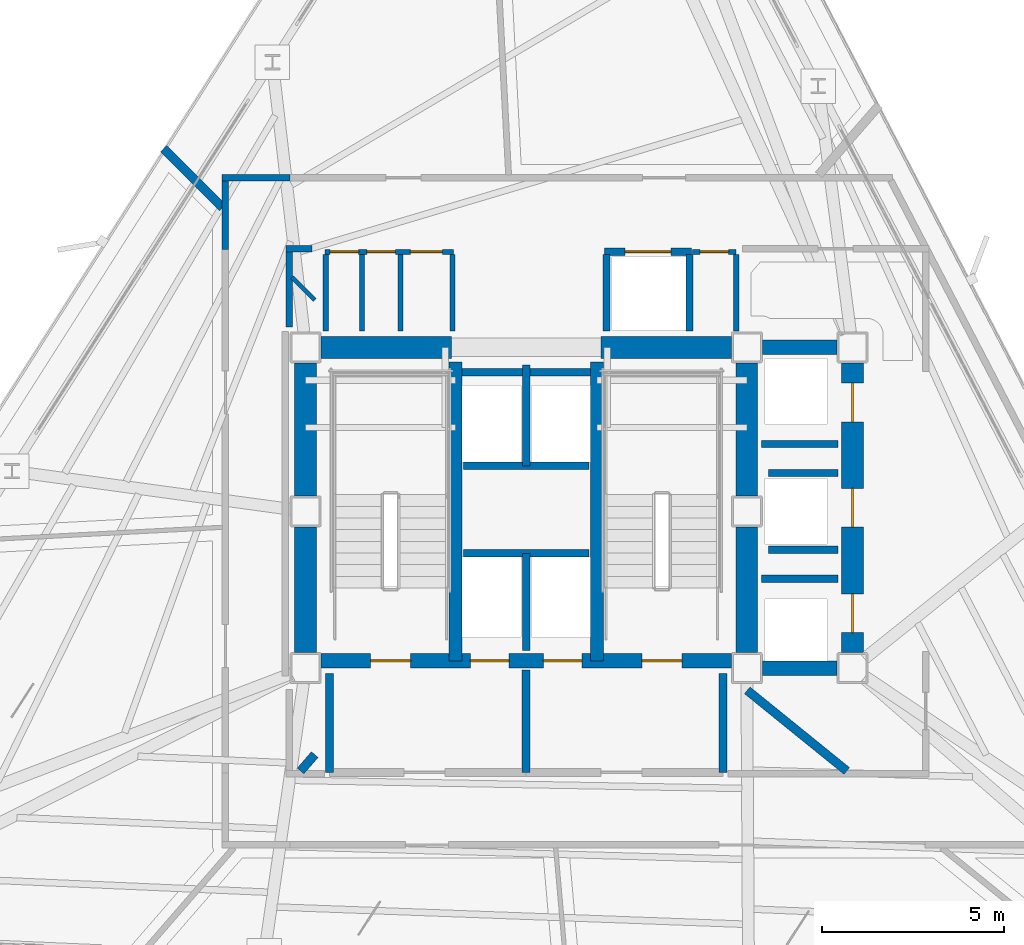
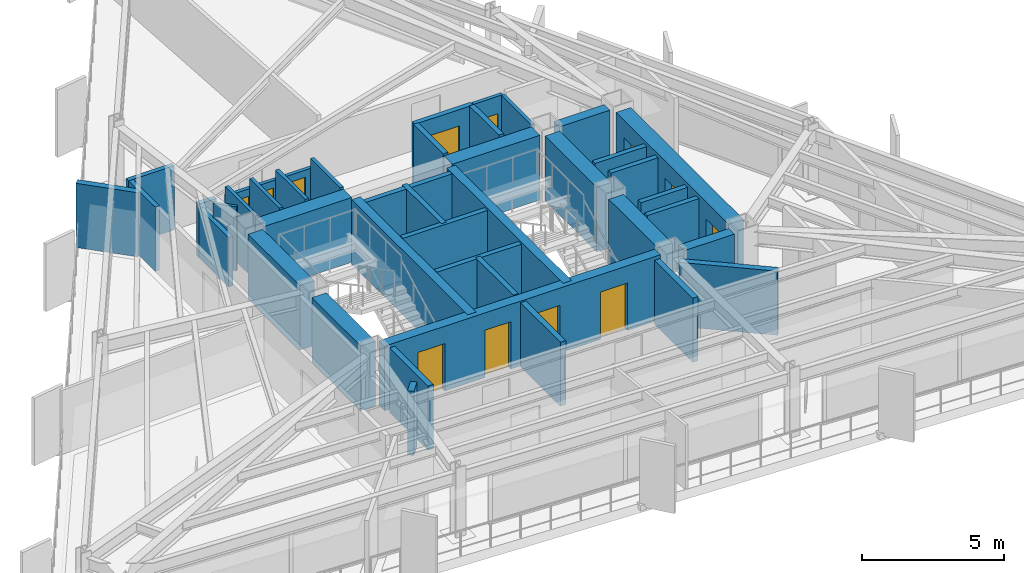
# One storey, part 8 of 12: 42 walls, 12 doors, 12 openings.
"""IFC4 building model written with IfcOpenShell, lengths in metres."""

from ifc_helpers import new_model, si_unit, direction, frame, frame_2d, origin, place, context, subcontext, project, spatial, rectangle, extrude, material, layer, layer_set, type_object, element, fill, save


model = new_model("IFC4")

# Units and contexts
model_context = context("Model", 3, precision=1e-05, world=origin(), true_north=direction((0.0, 1.0)))
body_context = subcontext(model_context, "Body", "Model", "MODEL_VIEW")
ifc_project = project(units=[si_unit("LENGTHUNIT", "METRE"), si_unit("AREAUNIT", "SQUARE_METRE"), si_unit("VOLUMEUNIT", "CUBIC_METRE"), si_unit("PLANEANGLEUNIT", "RADIAN"), si_unit("MASSUNIT", "GRAM", prefix="KILO")], contexts=[model_context])

# Site, building, storey
site_placement = place(None, origin())
site = spatial("IfcSite", under=ifc_project, at=site_placement, CompositionType="ELEMENT")
building_placement = place(site_placement, origin())
building = spatial("IfcBuilding", under=site, at=building_placement, Name="Rocaltana Carrier Exchange", CompositionType="ELEMENT")
storey_placement = place(building_placement, frame((0.0, 0.0, 125.919921875)))
storey = spatial("IfcBuildingStorey", under=building, at=storey_placement, Name="L39", CompositionType="ELEMENT", Elevation=125.919921875)

# Walls
ifc_material_1 = material(Name="Concrete C50/60", Category="concrete")
ifc_layer_1 = layer(ifc_material_1, 0.35009765625)
ifc_layer_set_1 = layer_set([ifc_layer_1], Name="Concrete C50/60")
wall_type_1 = type_object("IfcWallType", Name="Core Internal Shear Wall 350", PredefinedType="SHEAR", material=ifc_layer_set_1)
for number, where, z_axis, x_axis, name in (
    (1, (-1.93994140625, -4.10009765625, 0.0), (0.0, 0.0, 1.0), (0.0, 1.0, 0.0), "L39 Core Shear Wall CW-STW"),
    (2, (1.93994140625, -4.10009765625, 0.0), (0.0, 0.0, 1.0), (0.0, 1.0, 0.0), "L39 Core Shear Wall CW-STE"),
):
    element("IfcWall", number, at=place(storey_placement, frame(where, z_axis=z_axis, x_axis=x_axis)), inside=storey, type_object=wall_type_1, Name=name, PredefinedType="SHEAR", context=body_context, shape_type="SweptSolid", body=[
        extrude(rectangle(XDim=8.2001953125, YDim=0.35009765625, at=frame_2d((4.10009765625, 0.0))), origin(), (0.0, 0.0, 1.0), 2.7880859375),
    ])

# Wall, openings, doors
ifc_material_2 = material(Name="Concrete C50/60", Category="concrete")
ifc_layer_2 = layer(ifc_material_2, 0.39990234375)
ifc_layer_set_2 = layer_set([ifc_layer_2], Name="Concrete C50/60")
wall_type_2 = type_object("IfcWallType", Name="Core Internal Shear Wall 400", PredefinedType="SHEAR", material=ifc_layer_set_2)
wall_1_placement = place(storey_placement, frame((-5.625, -4.10009765625, 0.0), z_axis=(0.0, 0.0, 1.0), x_axis=(1.0, 0.0, 0.0)))
wall_1 = element("IfcWall", 3, at=wall_1_placement, inside=storey, type_object=wall_type_2, Name="L39 Core Shear Wall CW-S", PredefinedType="SHEAR", context=body_context, shape_type="SweptSolid", body=[
    extrude(rectangle(XDim=11.25, YDim=0.39990234375, at=frame_2d((5.625, 0.0))), origin(), (0.0, 0.0, 1.0), 2.7880859375),
])
opening_1_placement = place(wall_1_placement, frame((1.35498046875, 0.0, 0.0)))
opening_1 = element("IfcOpeningElement", 4, at=opening_1_placement, cuts=wall_1, Name="Opening D-ST110", PredefinedType="OPENING", context=body_context, shape_type="SweptSolid", body=[
    extrude(rectangle(XDim=1.10009765625, YDim=2.0400390625, at=frame_2d((0.550048828125, 1.02001953125))), frame((0.0, 0.2099609375, 0.0), z_axis=(0.0, -1.0, 0.0), x_axis=(1.0, 0.0, 0.0)), (0.0, 0.0, 1.0), 0.419921875),
])
opening_2_placement = place(wall_1_placement, frame((8.794921875, 0.0, 0.0)))
opening_2 = element("IfcOpeningElement", 5, at=opening_2_placement, cuts=wall_1, Name="Opening D-ST110", PredefinedType="OPENING", context=body_context, shape_type="SweptSolid", body=[
    extrude(rectangle(XDim=1.10009765625, YDim=2.0400390625, at=frame_2d((0.550048828125, 1.02001953125))), frame((0.0, 0.2099609375, 0.0), z_axis=(0.0, -1.0, 0.0), x_axis=(1.0, 0.0, 0.0)), (0.0, 0.0, 1.0), 0.419921875),
])
opening_3_placement = place(wall_1_placement, frame((4.094970703125, 0.0, 0.0)))
opening_3 = element("IfcOpeningElement", 6, at=opening_3_placement, cuts=wall_1, Name="Opening LD-110", PredefinedType="OPENING", context=body_context, shape_type="SweptSolid", body=[
    extrude(rectangle(XDim=1.06005859375, YDim=2.0400390625, at=frame_2d((0.530029296875, 1.02001953125))), frame((0.0, 0.2099609375, 0.0), z_axis=(0.0, -1.0, 0.0), x_axis=(1.0, 0.0, 0.0)), (0.0, 0.0, 1.0), 0.419921875),
])
opening_4_placement = place(wall_1_placement, frame((6.094970703125, 0.0, 0.0)))
opening_4 = element("IfcOpeningElement", 7, at=opening_4_placement, cuts=wall_1, Name="Opening LD-110", PredefinedType="OPENING", context=body_context, shape_type="SweptSolid", body=[
    extrude(rectangle(XDim=1.06005859375, YDim=2.0400390625, at=frame_2d((0.530029296875, 1.02001953125))), frame((0.0, 0.2099609375, 0.0), z_axis=(0.0, -1.0, 0.0), x_axis=(1.0, 0.0, 0.0)), (0.0, 0.0, 1.0), 0.419921875),
])
ifc_material_3 = material(Name="Hollow Metal Fire Door Assembly", Category="steel")
door_type_1 = type_object("IfcDoorType", Name="Exit Stair Fire Door 1100x2040 FD90S", OperationType="NOTDEFINED", PredefinedType="DOOR", material=ifc_material_3)
door_1_placement = place(opening_1_placement, origin())
door_1 = element("IfcDoor", 8, at=door_1_placement, inside=storey, type_object=door_type_1, Name="L39 Exit Stair ST1 Fire Door", OperationType="SINGLE_SWING_LEFT", OverallHeight=2.0400390625, OverallWidth=1.10009765625, PredefinedType="DOOR", context=body_context, shape_type="SweptSolid", body=[
    extrude(rectangle(XDim=1.10009765625, YDim=2.0400390625, at=frame_2d((0.550048828125, 1.02001953125))), frame((0.0, 0.02490234375, 0.0), z_axis=(0.0, -1.0, 0.0), x_axis=(1.0, 0.0, 0.0)), (0.0, 0.0, 1.0), 0.050048828125),
])
fill(opening_1, door_1)
door_2_placement = place(opening_2_placement, origin())
door_2 = element("IfcDoor", 9, at=door_2_placement, inside=storey, type_object=door_type_1, Name="L39 Exit Stair ST2 Fire Door", OperationType="SINGLE_SWING_RIGHT", OverallHeight=2.0400390625, OverallWidth=1.10009765625, PredefinedType="DOOR", context=body_context, shape_type="SweptSolid", body=[
    extrude(rectangle(XDim=1.10009765625, YDim=2.0400390625, at=frame_2d((0.550048828125, 1.02001953125))), frame((0.0, 0.02490234375, 0.0), z_axis=(0.0, -1.0, 0.0), x_axis=(1.0, 0.0, 0.0)), (0.0, 0.0, 1.0), 0.050048828125),
])
fill(opening_2, door_2)
ifc_material_4 = material(Name="Brushed Stainless Sliding Door Leaf", Category="steel")
door_type_2 = type_object("IfcDoorType", Name="Lift Landing Sliding Door 1060x2040", OperationType="NOTDEFINED", PredefinedType="DOOR", material=ifc_material_4)
door_3_placement = place(opening_3_placement, origin())
door_3 = element("IfcDoor", 10, at=door_3_placement, inside=storey, type_object=door_type_2, Name="L39 Firefighting Lift FFL1 Landing Door", OperationType="SLIDING_TO_LEFT", OverallHeight=2.0400390625, OverallWidth=1.06005859375, PredefinedType="DOOR", context=body_context, shape_type="SweptSolid", body=[
    extrude(rectangle(XDim=1.06005859375, YDim=2.0400390625, at=frame_2d((0.530029296875, 1.02001953125))), frame((0.0, 0.02490234375, 0.0), z_axis=(0.0, -1.0, 0.0), x_axis=(1.0, 0.0, 0.0)), (0.0, 0.0, 1.0), 0.050048828125),
])
fill(opening_3, door_3)
door_4_placement = place(opening_4_placement, origin())
door_4 = element("IfcDoor", 11, at=door_4_placement, inside=storey, type_object=door_type_2, Name="L39 Firefighting Lift FFL2 Landing Door", OperationType="SLIDING_TO_RIGHT", OverallHeight=2.0400390625, OverallWidth=1.06005859375, PredefinedType="DOOR", context=body_context, shape_type="SweptSolid", body=[
    extrude(rectangle(XDim=1.06005859375, YDim=2.0400390625, at=frame_2d((0.530029296875, 1.02001953125))), frame((0.0, 0.02490234375, 0.0), z_axis=(0.0, -1.0, 0.0), x_axis=(1.0, 0.0, 0.0)), (0.0, 0.0, 1.0), 0.050048828125),
])
fill(opening_4, door_4)

# Walls
for number, where, z_axis, x_axis, name in (
    (12, (6.47509765625, 4.5, 0.0), (0.0, 0.0, 1.0), (1.0, 0.0, 0.0), "L39 Core Shear Wall CW-EWN"),
    (13, (6.47509765625, -4.300048828125, 0.0), (0.0, 0.0, 1.0), (1.0, 0.0, 0.0), "L39 Core Shear Wall CW-EWS"),
):
    element("IfcWall", number, at=place(storey_placement, frame(where, z_axis=z_axis, x_axis=x_axis)), inside=storey, type_object=wall_type_2, Name=name, PredefinedType="SHEAR", context=body_context, shape_type="SweptSolid", body=[
        extrude(rectangle(XDim=2.0498046875, YDim=0.39990234375, at=frame_2d((1.02490234375, 0.0))), origin(), (0.0, 0.0, 1.0), 2.7880859375),
    ])
ifc_material_5 = material(Name="Concrete C50/60", Category="concrete")
ifc_layer_3 = layer(ifc_material_5, 0.60009765625)
ifc_layer_set_3 = layer_set([ifc_layer_3], Name="Concrete C50/60")
wall_type_3 = type_object("IfcWallType", Name="Core Shear Wall 600", PredefinedType="SHEAR", material=ifc_layer_set_3)
wall_2_placement = place(storey_placement, frame((-6.050048828125, 0.425048828125, 0.0), z_axis=(0.0, 0.0, 1.0), x_axis=(0.0, 1.0, 0.0)))
element("IfcWall", 14, at=wall_2_placement, inside=storey, type_object=wall_type_3, Name="L39 Core Shear Wall CW-WN", PredefinedType="SHEAR", context=body_context, shape_type="SweptSolid", body=[
    extrude(rectangle(XDim=3.64990234375, YDim=0.60009765625, at=frame_2d((1.824951171875, 0.0))), origin(), (0.0, 0.0, 1.0), 2.7880859375),
])
wall_3_placement = place(storey_placement, frame((-6.050048828125, -3.875, 0.0), z_axis=(0.0, 0.0, 1.0), x_axis=(0.0, 1.0, 0.0)))
element("IfcWall", 15, at=wall_3_placement, inside=storey, type_object=wall_type_3, Name="L39 Core Shear Wall CW-WS", PredefinedType="SHEAR", context=body_context, shape_type="SweptSolid", body=[
    extrude(rectangle(XDim=3.449951171875, YDim=0.60009765625, at=frame_2d((1.72509765625, 0.0))), origin(), (0.0, 0.0, 1.0), 2.7880859375),
])
wall_4_placement = place(storey_placement, frame((6.050048828125, 0.425048828125, 0.0), z_axis=(0.0, 0.0, 1.0), x_axis=(0.0, 1.0, 0.0)))
element("IfcWall", 16, at=wall_4_placement, inside=storey, type_object=wall_type_3, Name="L39 Core Shear Wall CW-EN", PredefinedType="SHEAR", context=body_context, shape_type="SweptSolid", body=[
    extrude(rectangle(XDim=3.64990234375, YDim=0.60009765625, at=frame_2d((1.824951171875, 0.0))), origin(), (0.0, 0.0, 1.0), 2.7880859375),
])
wall_5_placement = place(storey_placement, frame((6.050048828125, -3.875, 0.0), z_axis=(0.0, 0.0, 1.0), x_axis=(0.0, 1.0, 0.0)))
element("IfcWall", 17, at=wall_5_placement, inside=storey, type_object=wall_type_3, Name="L39 Core Shear Wall CW-ES", PredefinedType="SHEAR", context=body_context, shape_type="SweptSolid", body=[
    extrude(rectangle(XDim=3.449951171875, YDim=0.60009765625, at=frame_2d((1.72509765625, 0.0))), origin(), (0.0, 0.0, 1.0), 2.7880859375),
])
for number, where, z_axis, x_axis, name in (
    (18, (-5.625, 4.5, 0.0), (0.0, 0.0, 1.0), (1.0, 0.0, 0.0), "L39 Core Shear Wall CW-N1"),
    (19, (2.050048828125, 4.5, 0.0), (0.0, 0.0, 1.0), (1.0, 0.0, 0.0), "L39 Core Shear Wall CW-N2"),
):
    element("IfcWall", number, at=place(storey_placement, frame(where, z_axis=z_axis, x_axis=x_axis)), inside=storey, type_object=wall_type_3, Name=name, PredefinedType="SHEAR", context=body_context, shape_type="SweptSolid", body=[
        extrude(rectangle(XDim=3.574951171875, YDim=0.60009765625, at=frame_2d((1.78759765625, 0.0))), origin(), (0.0, 0.0, 1.0), 2.7880859375),
    ])

# Wall, openings, doors
wall_6_placement = place(storey_placement, frame((8.949951171875, -3.875, 0.0), z_axis=(0.0, 0.0, 1.0), x_axis=(0.0, 1.0, 0.0)))
wall_6 = element("IfcWall", 20, at=wall_6_placement, inside=storey, type_object=wall_type_3, Name="L39 Core Shear Wall CW-EW", PredefinedType="SHEAR", context=body_context, shape_type="SweptSolid", body=[
    extrude(rectangle(XDim=7.949951171875, YDim=0.60009765625, at=frame_2d((3.97509765625, 0.0))), origin(), (0.0, 0.0, 1.0), 2.7880859375),
])
opening_5_placement = place(wall_6_placement, frame((0.550048828125, 0.0, 0.0)))
opening_5 = element("IfcOpeningElement", 21, at=opening_5_placement, cuts=wall_6, Name="Opening LD-110", PredefinedType="OPENING", context=body_context, shape_type="SweptSolid", body=[
    extrude(rectangle(XDim=1.06005859375, YDim=2.0400390625, at=frame_2d((0.530029296875, 1.02001953125))), frame((0.0, 0.31005859375, 0.0), z_axis=(0.0, -1.0, 0.0), x_axis=(1.0, 0.0, 0.0)), (0.0, 0.0, 1.0), 0.6201171875),
])
opening_6_placement = place(wall_6_placement, frame((3.445068359375, 0.0, 0.0)))
opening_6 = element("IfcOpeningElement", 22, at=opening_6_placement, cuts=wall_6, Name="Opening LD-110", PredefinedType="OPENING", context=body_context, shape_type="SweptSolid", body=[
    extrude(rectangle(XDim=1.06005859375, YDim=2.0400390625, at=frame_2d((0.530029296875, 1.02001953125))), frame((0.0, 0.31005859375, 0.0), z_axis=(0.0, -1.0, 0.0), x_axis=(1.0, 0.0, 0.0)), (0.0, 0.0, 1.0), 0.6201171875),
])
opening_7_placement = place(wall_6_placement, frame((6.330078125, 0.0, 0.0)))
opening_7 = element("IfcOpeningElement", 23, at=opening_7_placement, cuts=wall_6, Name="Opening LD-110", PredefinedType="OPENING", context=body_context, shape_type="SweptSolid", body=[
    extrude(rectangle(XDim=1.06005859375, YDim=2.0400390625, at=frame_2d((0.530029296875, 1.02001953125))), frame((0.0, 0.31005859375, 0.0), z_axis=(0.0, -1.0, 0.0), x_axis=(1.0, 0.0, 0.0)), (0.0, 0.0, 1.0), 0.6201171875),
])
door_5_placement = place(opening_5_placement, origin())
door_5 = element("IfcDoor", 24, at=door_5_placement, inside=storey, type_object=door_type_2, Name="L39 Mid-Rise Lift PL-M1 Landing Door", OperationType="SLIDING_TO_LEFT", OverallHeight=2.0400390625, OverallWidth=1.06005859375, PredefinedType="DOOR", context=body_context, shape_type="SweptSolid", body=[
    extrude(rectangle(XDim=1.06005859375, YDim=2.0400390625, at=frame_2d((0.530029296875, 1.02001953125))), frame((0.0, 0.02490234375, 0.0), z_axis=(0.0, -1.0, 0.0), x_axis=(1.0, 0.0, 0.0)), (0.0, 0.0, 1.0), 0.050048828125),
])
fill(opening_5, door_5)
door_6_placement = place(opening_6_placement, origin())
door_6 = element("IfcDoor", 25, at=door_6_placement, inside=storey, type_object=door_type_2, Name="L39 Mid-Rise Lift PL-M2 Landing Door", OperationType="SLIDING_TO_RIGHT", OverallHeight=2.0400390625, OverallWidth=1.06005859375, PredefinedType="DOOR", context=body_context, shape_type="SweptSolid", body=[
    extrude(rectangle(XDim=1.06005859375, YDim=2.0400390625, at=frame_2d((0.530029296875, 1.02001953125))), frame((0.0, 0.02490234375, 0.0), z_axis=(0.0, -1.0, 0.0), x_axis=(1.0, 0.0, 0.0)), (0.0, 0.0, 1.0), 0.050048828125),
])
fill(opening_6, door_6)
door_7_placement = place(opening_7_placement, origin())
door_7 = element("IfcDoor", 26, at=door_7_placement, inside=storey, type_object=door_type_2, Name="L39 Mid-Rise Lift PL-M3 Landing Door", OperationType="SLIDING_TO_LEFT", OverallHeight=2.0400390625, OverallWidth=1.06005859375, PredefinedType="DOOR", context=body_context, shape_type="SweptSolid", body=[
    extrude(rectangle(XDim=1.06005859375, YDim=2.0400390625, at=frame_2d((0.530029296875, 1.02001953125))), frame((0.0, 0.02490234375, 0.0), z_axis=(0.0, -1.0, 0.0), x_axis=(1.0, 0.0, 0.0)), (0.0, 0.0, 1.0), 0.050048828125),
])
fill(opening_7, door_7)

# Walls
ifc_material_6 = material(Name="Gypsum & Steel Stud Partition", Category="steel")
ifc_layer_4 = layer(ifc_material_6, 0.179931640625)
ifc_layer_set_4 = layer_set([ifc_layer_4], Name="Gypsum & Steel Stud Partition")
wall_type_4 = type_object("IfcWallType", Name="Corridor Fire Partition 180 EI60", PredefinedType="PARTITIONING", material=ifc_layer_set_4)
wall_7_placement = place(storey_placement, frame((-8.25, 7.179931640625, 0.0), z_axis=(0.0, 0.0, 1.0), x_axis=(0.0, 1.0, 0.0)))
element("IfcWall", 27, at=wall_7_placement, inside=storey, type_object=wall_type_4, Name="L39 Corridor Partition 4", PredefinedType="PARTITIONING", context=body_context, shape_type="SweptSolid", body=[
    extrude(rectangle(XDim=1.880126953125, YDim=0.179931640625, at=frame_2d((0.93994140625, 0.0))), origin(), (0.0, 0.0, 1.0), 2.76318359375),
])
wall_8_placement = place(storey_placement, frame((-8.340087890625, 9.14990234375, 0.0), z_axis=(0.0, 0.0, 1.0), x_axis=(1.0, 0.0, 0.0)))
element("IfcWall", 28, at=wall_8_placement, inside=storey, type_object=wall_type_4, Name="L39 Corridor Partition 5", PredefinedType="PARTITIONING", context=body_context, shape_type="SweptSolid", body=[
    extrude(rectangle(XDim=1.860107421875, YDim=0.179931640625, at=frame_2d((0.93017578125, 0.0))), origin(), (0.0, 0.0, 1.0), 2.76318359375),
])
wall_9_placement = place(storey_placement, frame((-5.8798828125, 7.199951171875, 0.0), z_axis=(0.0, 0.0, 1.0), x_axis=(-1.0, 0.0, 0.0)))
element("IfcWall", 29, at=wall_9_placement, inside=storey, type_object=wall_type_4, Name="L39 Corridor Partition 16", PredefinedType="PARTITIONING", context=body_context, shape_type="SweptSolid", body=[
    extrude(rectangle(XDim=0.710205078125, YDim=0.179931640625, at=frame_2d((0.35498046875, 0.0))), origin(), (0.0, 0.0, 1.0), 2.330078125),
])
wall_10_placement = place(storey_placement, frame((-6.5, 7.110107421875, 0.0), z_axis=(0.0, 0.0, 1.0), x_axis=(0.0, -1.0, 0.0)))
element("IfcWall", 30, at=wall_10_placement, inside=storey, type_object=wall_type_4, Name="L39 Corridor Partition 17", PredefinedType="PARTITIONING", context=body_context, shape_type="SweptSolid", body=[
    extrude(rectangle(XDim=2.058349609375, YDim=0.179931640625, at=frame_2d((1.029296875, 0.0))), origin(), (0.0, 0.0, 1.0), 2.132080078125),
])
ifc_material_7 = material(Name="Aluminium 6063-T6 & Acoustic Glass", Category="aluminium")
ifc_layer_5 = layer(ifc_material_7, 0.114990234375)
ifc_layer_set_5 = layer_set([ifc_layer_5], Name="Aluminium 6063-T6 & Acoustic Glass")
wall_type_5 = type_object("IfcWallType", Name="Demountable Glazed Lab Partition 115", PredefinedType="MOVABLE", material=ifc_layer_set_5)
wall_11_placement = place(storey_placement, frame((-5.800048828125, 5.800048828125, 0.0), z_axis=(0.0, 0.0, 1.0), x_axis=(-0.707106781187, 0.707106781187, 0.0)))
element("IfcWall", 31, at=wall_11_placement, inside=storey, type_object=wall_type_5, Name="L39 Suite Divider Wall D10", PredefinedType="MOVABLE", context=body_context, shape_type="SweptSolid", body=[
    extrude(rectangle(XDim=0.876708984375, YDim=0.114990234375, at=frame_2d((0.4384765625, 0.0))), origin(), (0.0, 0.0, 1.0), 2.76318359375),
])
ifc_material_8 = material(Name="Autoclaved Aerated Concrete C30/37", Category="concrete")
ifc_layer_6 = layer(ifc_material_8, 0.219970703125)
ifc_layer_set_6 = layer_set([ifc_layer_6], Name="Autoclaved Aerated Concrete C30/37")
wall_type_6 = type_object("IfcWallType", Name="Firefighting Lobby Wall 220 EI120", PredefinedType="PARTITIONING", material=ifc_layer_set_6)
for number, where, z_axis, x_axis, name in (
    (32, (-5.39990234375, -7.159912109375, 0.0), (0.0, 0.0, 1.0), (0.0, 1.0, 0.0), "L39 FFL Lobby 1 West Wall"),
    (33, (5.39990234375, -7.159912109375, 0.0), (0.0, 0.0, 1.0), (0.0, 1.0, 0.0), "L39 FFL Lobby 2 East Wall"),
):
    element("IfcWall", number, at=place(storey_placement, frame(where, z_axis=z_axis, x_axis=x_axis)), inside=storey, type_object=wall_type_6, Name=name, PredefinedType="PARTITIONING", context=body_context, shape_type="SweptSolid", body=[
        extrude(rectangle(XDim=2.7099609375, YDim=0.219970703125, at=frame_2d((1.35498046875, 0.0))), origin(), (0.0, 0.0, 1.0), 2.76318359375),
    ])
wall_12_placement = place(storey_placement, frame((0.0, -7.159912109375, 0.0), z_axis=(0.0, 0.0, 1.0), x_axis=(0.0, 1.0, 0.0)))
element("IfcWall", 34, at=wall_12_placement, inside=storey, type_object=wall_type_6, Name="L39 FFL Lobby Centre Wall", PredefinedType="PARTITIONING", context=body_context, shape_type="SweptSolid", body=[
    extrude(rectangle(XDim=2.809814453125, YDim=0.219970703125, at=frame_2d((1.40478515625, 0.0))), origin(), (0.0, 0.0, 1.0), 2.76318359375),
])
ifc_material_9 = material(Name="Acoustic Calcium Silicate Partition", Category="gypsum")
ifc_layer_7 = layer(ifc_material_9, 0.239990234375)
ifc_layer_set_7 = layer_set([ifc_layer_7], Name="Acoustic Calcium Silicate Partition")
wall_type_7 = type_object("IfcWallType", Name="Heavy Lab Partition 240 EI90", PredefinedType="PARTITIONING", material=ifc_layer_set_7)
wall_13_placement = place(storey_placement, frame((-5.800048828125, -6.672119140625, 0.0), z_axis=(0.0, 0.0, 1.0), x_axis=(-0.655791573116, -0.754941992891, 0.0)))
element("IfcWall", 35, at=wall_13_placement, inside=storey, type_object=wall_type_7, Name="L39 Suite Divider Wall D2", PredefinedType="PARTITIONING", context=body_context, shape_type="SweptSolid", body=[
    extrude(rectangle(XDim=0.593505859375, YDim=0.239990234375, at=frame_2d((0.296875, 0.0))), origin(), (0.0, 0.0, 1.0), 2.76318359375),
])
wall_14_placement = place(storey_placement, frame((6.063232421875, -4.909912109375, 0.0), z_axis=(0.0, 0.0, 1.0), x_axis=(0.777131535724, -0.629338204929, 0.0)))
element("IfcWall", 36, at=wall_14_placement, inside=storey, type_object=wall_type_7, Name="L39 Suite Divider Wall D5", PredefinedType="PARTITIONING", context=body_context, shape_type="SweptSolid", body=[
    extrude(rectangle(XDim=3.511962890625, YDim=0.239990234375, at=frame_2d((1.755859375, 0.0))), origin(), (0.0, 0.0, 1.0), 2.76318359375),
])
wall_15_placement = place(storey_placement, frame((-8.330078125, 8.330078125, 0.0), z_axis=(0.0, 0.0, 1.0), x_axis=(-0.707106781187, 0.707106781187, 0.0)))
element("IfcWall", 37, at=wall_15_placement, inside=storey, type_object=wall_type_7, Name="L39 Suite Divider Wall D11", PredefinedType="PARTITIONING", context=body_context, shape_type="SweptSolid", body=[
    extrude(rectangle(XDim=2.283935546875, YDim=0.239990234375, at=frame_2d((1.14208984375, 0.0))), origin(), (0.0, 0.0, 1.0), 2.76318359375),
])
ifc_material_10 = material(Name="Reinforced Concrete Block C35/45", Category="concrete")
ifc_layer_8 = layer(ifc_material_10, 0.199951171875)
ifc_layer_set_8 = layer_set([ifc_layer_8], Name="Reinforced Concrete Block C35/45")
wall_type_8 = type_object("IfcWallType", Name="Lift Hoistway Enclosure Wall 200 EI120", PredefinedType="PARTITIONING", material=ifc_layer_set_8)
wall_16_placement = place(storey_placement, frame((0.0, -3.820068359375, 0.0), z_axis=(0.0, 0.0, 1.0), x_axis=(0.0, 1.0, 0.0)))
element("IfcWall", 38, at=wall_16_placement, inside=storey, type_object=wall_type_8, Name="L39 FFL Shaft Divider", PredefinedType="PARTITIONING", context=body_context, shape_type="SweptSolid", body=[
    extrude(rectangle(XDim=2.670166015625, YDim=0.199951171875, at=frame_2d((1.3349609375, 0.0))), origin(), (0.0, 0.0, 1.0), 2.76318359375),
])
wall_17_placement = place(storey_placement, frame((-1.719970703125, -1.14990234375, 0.0), z_axis=(0.0, 0.0, 1.0), x_axis=(1.0, 0.0, 0.0)))
element("IfcWall", 39, at=wall_17_placement, inside=storey, type_object=wall_type_8, Name="L39 FFL Shaft Back Wall", PredefinedType="PARTITIONING", context=body_context, shape_type="SweptSolid", body=[
    extrude(rectangle(XDim=3.43994140625, YDim=0.199951171875, at=frame_2d((1.719970703125, 0.0))), origin(), (0.0, 0.0, 1.0), 2.76318359375),
])
wall_18_placement = place(storey_placement, frame((0.0, 1.25, 0.0), z_axis=(0.0, 0.0, 1.0), x_axis=(0.0, 1.0, 0.0)))
element("IfcWall", 40, at=wall_18_placement, inside=storey, type_object=wall_type_8, Name="L39 High-Rise Shaft Divider", PredefinedType="PARTITIONING", context=body_context, shape_type="SweptSolid", body=[
    extrude(rectangle(XDim=2.77001953125, YDim=0.199951171875, at=frame_2d((1.385009765625, 0.0))), origin(), (0.0, 0.0, 1.0), 2.76318359375),
])
wall_19_placement = place(storey_placement, frame((-1.719970703125, 1.25, 0.0), z_axis=(0.0, 0.0, 1.0), x_axis=(1.0, 0.0, 0.0)))
element("IfcWall", 41, at=wall_19_placement, inside=storey, type_object=wall_type_8, Name="L39 High-Rise Shaft Back Wall", PredefinedType="PARTITIONING", context=body_context, shape_type="SweptSolid", body=[
    extrude(rectangle(XDim=3.43994140625, YDim=0.199951171875, at=frame_2d((1.719970703125, 0.0))), origin(), (0.0, 0.0, 1.0), 2.76318359375),
])
wall_20_placement = place(storey_placement, frame((-1.760009765625, 3.820068359375, 0.0), z_axis=(0.0, 0.0, 1.0), x_axis=(1.0, 0.0, 0.0)))
element("IfcWall", 42, at=wall_20_placement, inside=storey, type_object=wall_type_8, Name="L39 High-Rise Lift Front Wall", PredefinedType="PARTITIONING", context=body_context, shape_type="SweptSolid", body=[
    extrude(rectangle(XDim=3.52001953125, YDim=0.199951171875, at=frame_2d((1.760009765625, 0.0))), origin(), (0.0, 0.0, 1.0), 2.76318359375),
])
for number, where, z_axis, x_axis, name in (
    (43, (2.199951171875, 4.949951171875, 0.0), (0.0, 0.0, 1.0), (0.0, 1.0, 0.0), "L39 Goods Lift West Wall"),
    (44, (4.47998046875, 4.949951171875, 0.0), (0.0, 0.0, 1.0), (0.0, 1.0, 0.0), "L39 Goods Lift East Wall"),
):
    element("IfcWall", number, at=place(storey_placement, frame(where, z_axis=z_axis, x_axis=x_axis)), inside=storey, type_object=wall_type_8, Name=name, PredefinedType="PARTITIONING", context=body_context, shape_type="SweptSolid", body=[
        extrude(rectangle(XDim=2.10009765625, YDim=0.199951171875, at=frame_2d((1.050048828125, 0.0))), origin(), (0.0, 0.0, 1.0), 2.76318359375),
    ])

# Wall, opening, door
wall_21_placement = place(storey_placement, frame((2.14990234375, 7.1201171875, 0.0), z_axis=(0.0, 0.0, 1.0), x_axis=(1.0, 0.0, 0.0)))
wall_21 = element("IfcWall", 45, at=wall_21_placement, inside=storey, type_object=wall_type_8, Name="L39 Goods Lift Front Wall", PredefinedType="PARTITIONING", context=body_context, shape_type="SweptSolid", body=[
    extrude(rectangle(XDim=2.380126953125, YDim=0.199951171875, at=frame_2d((1.18994140625, 0.0))), origin(), (0.0, 0.0, 1.0), 2.76318359375),
])
opening_8_placement = place(wall_21_placement, frame((0.56005859375, 0.0, 0.0)))
opening_8 = element("IfcOpeningElement", 46, at=opening_8_placement, cuts=wall_21, Name="Opening LD-130", PredefinedType="OPENING", context=body_context, shape_type="SweptSolid", body=[
    extrude(rectangle(XDim=1.260009765625, YDim=2.06005859375, at=frame_2d((0.6298828125, 1.030029296875))), frame((0.0, 0.10986328125, 0.0), z_axis=(0.0, -1.0, 0.0), x_axis=(1.0, 0.0, 0.0)), (0.0, 0.0, 1.0), 0.219970703125),
])
ifc_material_11 = material(Name="Brushed Stainless Sliding Door Leaf", Category="steel")
door_type_3 = type_object("IfcDoorType", Name="Goods Lift Landing Sliding Door 1260x2060", OperationType="NOTDEFINED", PredefinedType="DOOR", material=ifc_material_11)
door_8_placement = place(opening_8_placement, origin())
door_8 = element("IfcDoor", 47, at=door_8_placement, inside=storey, type_object=door_type_3, Name="L39 Goods Lift GL-1 Landing Door", OperationType="SLIDING_TO_LEFT", OverallHeight=2.06005859375, OverallWidth=1.260009765625, PredefinedType="DOOR", context=body_context, shape_type="SweptSolid", body=[
    extrude(rectangle(XDim=1.260009765625, YDim=2.06005859375, at=frame_2d((0.6298828125, 1.030029296875))), frame((0.0, 0.02490234375, 0.0), z_axis=(0.0, -1.0, 0.0), x_axis=(1.0, 0.0, 0.0)), (0.0, 0.0, 1.0), 0.050048828125),
])
fill(opening_8, door_8)

# Walls
for number, where, z_axis, x_axis, name in (
    (48, (6.449951171875, -1.85009765625, 0.0), (0.0, 0.0, 1.0), (1.0, 0.0, 0.0), "L39 Mid-Rise Shaft Divider 1"),
    (49, (6.449951171875, 1.85009765625, 0.0), (0.0, 0.0, 1.0), (1.0, 0.0, 0.0), "L39 Mid-Rise Shaft Divider 2"),
):
    element("IfcWall", number, at=place(storey_placement, frame(where, z_axis=z_axis, x_axis=x_axis)), inside=storey, type_object=wall_type_8, Name=name, PredefinedType="PARTITIONING", context=body_context, shape_type="SweptSolid", body=[
        extrude(rectangle(XDim=2.10009765625, YDim=0.199951171875, at=frame_2d((1.050048828125, 0.0))), origin(), (0.0, 0.0, 1.0), 2.76318359375),
    ])
for number, where, z_axis, x_axis, name in (
    (50, (6.639892578125, -1.050048828125, 0.0), (0.0, 0.0, 1.0), (1.0, 0.0, 0.0), "L39 Mid-Rise Center Shaft Wall South"),
    (51, (6.639892578125, 1.050048828125, 0.0), (0.0, 0.0, 1.0), (1.0, 0.0, 0.0), "L39 Mid-Rise Center Shaft Wall North"),
):
    element("IfcWall", number, at=place(storey_placement, frame(where, z_axis=z_axis, x_axis=x_axis)), inside=storey, type_object=wall_type_8, Name=name, PredefinedType="PARTITIONING", context=body_context, shape_type="SweptSolid", body=[
        extrude(rectangle(XDim=1.91015625, YDim=0.199951171875, at=frame_2d((0.955078125, 0.0))), origin(), (0.0, 0.0, 1.0), 2.76318359375),
    ])
ifc_material_12 = material(Name="Moisture-Resistant Masonry C30/37", Category="masonry")
ifc_layer_9 = layer(ifc_material_12, 0.139892578125)
ifc_layer_set_9 = layer_set([ifc_layer_9], Name="Moisture-Resistant Masonry C30/37")
wall_type_9 = type_object("IfcWallType", Name="Wet-Area Sanitary Partition 140", PredefinedType="PARTITIONING", material=ifc_layer_set_9)
for number, where, z_axis, x_axis, name in (
    (52, (-5.5, 4.949951171875, 0.0), (0.0, 0.0, 1.0), (0.0, 1.0, 0.0), "L39 Sanitary West Wall"),
    (53, (-4.5, 4.949951171875, 0.0), (0.0, 0.0, 1.0), (0.0, 1.0, 0.0), "L39 Sanitary Divider 1"),
    (54, (-3.449951171875, 4.949951171875, 0.0), (0.0, 0.0, 1.0), (0.0, 1.0, 0.0), "L39 Sanitary Divider 2"),
    (55, (-2.02001953125, 4.949951171875, 0.0), (0.0, 0.0, 1.0), (0.0, 1.0, 0.0), "L39 Sanitary East Wall"),
):
    element("IfcWall", number, at=place(storey_placement, frame(where, z_axis=z_axis, x_axis=x_axis)), inside=storey, type_object=wall_type_9, Name=name, PredefinedType="PARTITIONING", context=body_context, shape_type="SweptSolid", body=[
        extrude(rectangle(XDim=2.10009765625, YDim=0.139892578125, at=frame_2d((1.050048828125, 0.0))), origin(), (0.0, 0.0, 1.0), 2.76318359375),
    ])

# Wall, openings, doors
wall_22_placement = place(storey_placement, frame((-5.52001953125, 7.1201171875, 0.0), z_axis=(0.0, 0.0, 1.0), x_axis=(1.0, 0.0, 0.0)))
wall_22 = element("IfcWall", 56, at=wall_22_placement, inside=storey, type_object=wall_type_9, Name="L39 Sanitary North Wall", PredefinedType="PARTITIONING", context=body_context, shape_type="SweptSolid", body=[
    extrude(rectangle(XDim=3.52001953125, YDim=0.139892578125, at=frame_2d((1.760009765625, 0.0))), origin(), (0.0, 0.0, 1.0), 2.330078125),
])
opening_9_placement = place(wall_22_placement, frame((0.139892578125, 0.0, 0.0)))
opening_9 = element("IfcOpeningElement", 57, at=opening_9_placement, cuts=wall_22, Name="Opening D-RS082", PredefinedType="OPENING", context=body_context, shape_type="SweptSolid", body=[
    extrude(rectangle(XDim=0.780029296875, YDim=2.010009765625, at=frame_2d((0.39013671875, 1.0048828125))), frame((0.0, 0.079833984375, 0.0), z_axis=(0.0, -1.0, 0.0), x_axis=(1.0, 0.0, 0.0)), (0.0, 0.0, 1.0), 0.159912109375),
])
opening_10_placement = place(wall_22_placement, frame((1.14990234375, 0.0, 0.0)))
opening_10 = element("IfcOpeningElement", 58, at=opening_10_placement, cuts=wall_22, Name="Opening D-RS082", PredefinedType="OPENING", context=body_context, shape_type="SweptSolid", body=[
    extrude(rectangle(XDim=0.780029296875, YDim=2.010009765625, at=frame_2d((0.39013671875, 1.0048828125))), frame((0.0, 0.079833984375, 0.0), z_axis=(0.0, -1.0, 0.0), x_axis=(1.0, 0.0, 0.0)), (0.0, 0.0, 1.0), 0.159912109375),
])
opening_11_placement = place(wall_22_placement, frame((2.340087890625, 0.0, 0.0)))
opening_11 = element("IfcOpeningElement", 59, at=opening_11_placement, cuts=wall_22, Name="Opening D-WC090", PredefinedType="OPENING", context=body_context, shape_type="SweptSolid", body=[
    extrude(rectangle(XDim=0.8798828125, YDim=2.02001953125, at=frame_2d((0.43994140625, 1.010009765625))), frame((0.0, 0.079833984375, 0.0), z_axis=(0.0, -1.0, 0.0), x_axis=(1.0, 0.0, 0.0)), (0.0, 0.0, 1.0), 0.159912109375),
])
ifc_material_13 = material(Name="High-Pressure Laminate Timber", Category="wood")
door_type_4 = type_object("IfcDoorType", Name="Restroom & Accessible WC Door 880x2020", OperationType="NOTDEFINED", PredefinedType="DOOR", material=ifc_material_13)
door_9_placement = place(opening_11_placement, origin())
door_9 = element("IfcDoor", 60, at=door_9_placement, inside=storey, type_object=door_type_4, Name="L39 Accessible Toilet Door", OperationType="SINGLE_SWING_LEFT", OverallHeight=2.02001953125, OverallWidth=0.8798828125, PredefinedType="DOOR", context=body_context, shape_type="SweptSolid", body=[
    extrude(rectangle(XDim=0.8798828125, YDim=2.02001953125, at=frame_2d((0.43994140625, 1.010009765625))), frame((0.0, 0.02490234375, 0.0), z_axis=(0.0, -1.0, 0.0), x_axis=(1.0, 0.0, 0.0)), (0.0, 0.0, 1.0), 0.050048828125),
])
fill(opening_11, door_9)
ifc_material_14 = material(Name="Hollow Metal Access Door Leaf", Category="steel")
door_type_5 = type_object("IfcDoorType", Name="Riser & Service Closet Door 780x2010", OperationType="NOTDEFINED", PredefinedType="DOOR", material=ifc_material_14)
door_10_placement = place(opening_9_placement, origin())
door_10 = element("IfcDoor", 61, at=door_10_placement, inside=storey, type_object=door_type_5, Name="L39 Cleaner Store Door", OperationType="SINGLE_SWING_LEFT", OverallHeight=2.010009765625, OverallWidth=0.780029296875, PredefinedType="DOOR", context=body_context, shape_type="SweptSolid", body=[
    extrude(rectangle(XDim=0.780029296875, YDim=2.010009765625, at=frame_2d((0.39013671875, 1.0048828125))), frame((0.0, 0.02490234375, 0.0), z_axis=(0.0, -1.0, 0.0), x_axis=(1.0, 0.0, 0.0)), (0.0, 0.0, 1.0), 0.050048828125),
])
fill(opening_9, door_10)
door_11_placement = place(opening_10_placement, origin())
door_11 = element("IfcDoor", 62, at=door_11_placement, inside=storey, type_object=door_type_5, Name="L39 Staff Restroom Door", OperationType="SINGLE_SWING_RIGHT", OverallHeight=2.010009765625, OverallWidth=0.780029296875, PredefinedType="DOOR", context=body_context, shape_type="SweptSolid", body=[
    extrude(rectangle(XDim=0.780029296875, YDim=2.010009765625, at=frame_2d((0.39013671875, 1.0048828125))), frame((0.0, 0.02490234375, 0.0), z_axis=(0.0, -1.0, 0.0), x_axis=(1.0, 0.0, 0.0)), (0.0, 0.0, 1.0), 0.050048828125),
])
fill(opening_10, door_11)

# Wall
wall_23_placement = place(storey_placement, frame((5.760009765625, 4.949951171875, 0.0), z_axis=(0.0, 0.0, 1.0), x_axis=(0.0, 1.0, 0.0)))
element("IfcWall", 63, at=wall_23_placement, inside=storey, type_object=wall_type_9, Name="L39 Riser East Wall", PredefinedType="PARTITIONING", context=body_context, shape_type="SweptSolid", body=[
    extrude(rectangle(XDim=2.10009765625, YDim=0.139892578125, at=frame_2d((1.050048828125, 0.0))), origin(), (0.0, 0.0, 1.0), 2.76318359375),
])

# Wall, opening, door
wall_24_placement = place(storey_placement, frame((4.56005859375, 7.1201171875, 0.0), z_axis=(0.0, 0.0, 1.0), x_axis=(1.0, 0.0, 0.0)))
wall_24 = element("IfcWall", 64, at=wall_24_placement, inside=storey, type_object=wall_type_9, Name="L39 Riser North Wall", PredefinedType="PARTITIONING", context=body_context, shape_type="SweptSolid", body=[
    extrude(rectangle(XDim=1.199951171875, YDim=0.139892578125, at=frame_2d((0.60009765625, 0.0))), origin(), (0.0, 0.0, 1.0), 2.76318359375),
])
opening_12_placement = place(wall_24_placement, frame((0.2099609375, 0.0, 0.0)))
opening_12 = element("IfcOpeningElement", 65, at=opening_12_placement, cuts=wall_24, Name="Opening D-RS082", PredefinedType="OPENING", context=body_context, shape_type="SweptSolid", body=[
    extrude(rectangle(XDim=0.780029296875, YDim=2.010009765625, at=frame_2d((0.39013671875, 1.0048828125))), frame((0.0, 0.079833984375, 0.0), z_axis=(0.0, -1.0, 0.0), x_axis=(1.0, 0.0, 0.0)), (0.0, 0.0, 1.0), 0.159912109375),
])
door_12_placement = place(opening_12_placement, origin())
door_12 = element("IfcDoor", 66, at=door_12_placement, inside=storey, type_object=door_type_5, Name="L39 Signal Riser Closet Door", OperationType="SINGLE_SWING_RIGHT", OverallHeight=2.010009765625, OverallWidth=0.780029296875, PredefinedType="DOOR", context=body_context, shape_type="SweptSolid", body=[
    extrude(rectangle(XDim=0.780029296875, YDim=2.010009765625, at=frame_2d((0.39013671875, 1.0048828125))), frame((0.0, 0.02490234375, 0.0), z_axis=(0.0, -1.0, 0.0), x_axis=(1.0, 0.0, 0.0)), (0.0, 0.0, 1.0), 0.050048828125),
])
fill(opening_12, door_12)

save(model, "model.ifc")
